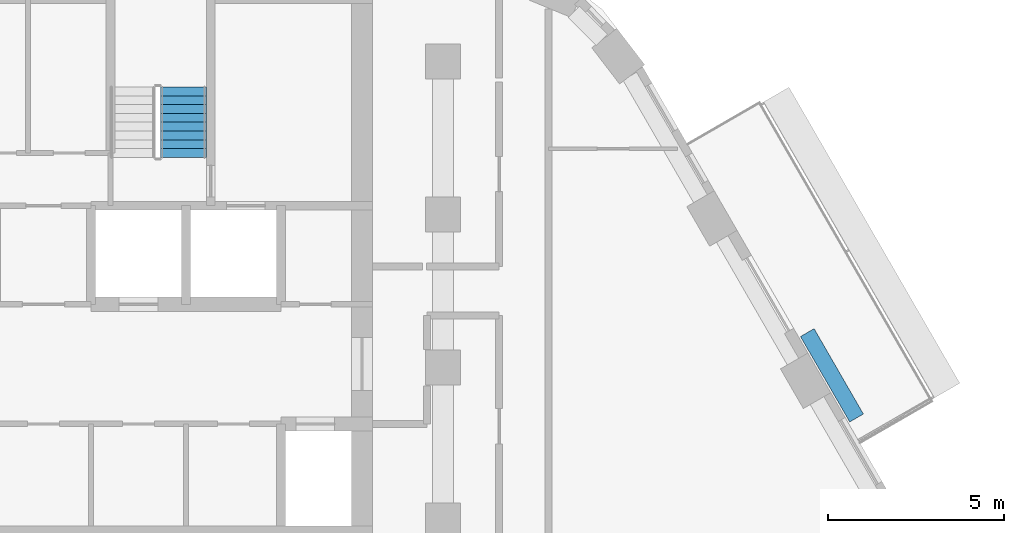
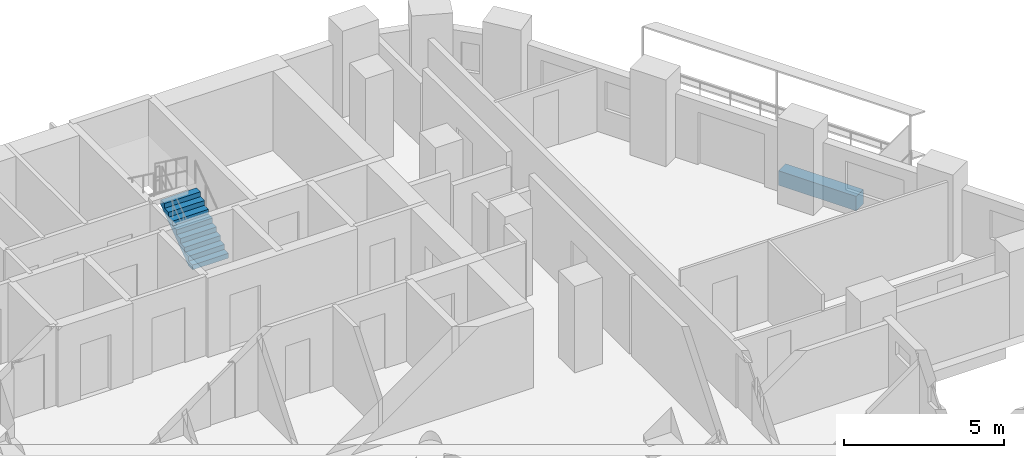
# One storey, part 10 of 14: 1 discrete accessory, 1 stair flight, 1 element without a shape of its own.
"""IFC4 building model written with IfcOpenShell, lengths in metres."""

from ifc_helpers import new_model, si_unit, direction, frame, origin, origin_2d, place, context, subcontext, project, spatial, polyline, rectangle, outline, extrude, material, type_object, element, aggregate, save


model = new_model("IFC4")

# Units and contexts
model_context = context("Model", 3, precision=1e-05, world=origin(), true_north=direction((0.0, 1.0)))
body_context = subcontext(model_context, "Body", "Model", "MODEL_VIEW")
ifc_project = project(units=[si_unit("LENGTHUNIT", "METRE"), si_unit("AREAUNIT", "SQUARE_METRE"), si_unit("VOLUMEUNIT", "CUBIC_METRE"), si_unit("PLANEANGLEUNIT", "RADIAN"), si_unit("MASSUNIT", "GRAM", prefix="KILO")], contexts=[model_context])

# Site, building, storey
site_placement = place(None, origin())
site = spatial("IfcSite", under=ifc_project, at=site_placement, CompositionType="ELEMENT")
building_placement = place(site_placement, origin())
building = spatial("IfcBuilding", under=site, at=building_placement, Name="Nakaniwa Court", CompositionType="ELEMENT")
storey_placement = place(building_placement, frame((0.0, 0.0, 163.5)))
storey = spatial("IfcBuildingStorey", under=building, at=storey_placement, Name="L43", CompositionType="ELEMENT", Elevation=163.5)

# Stair, stair flight
ifc_material_1 = material(Name="Concrete C80/100", Category="concrete")
stair_type = type_object("IfcStairType", Name="Dog leg stair 1300 wide 18 risers", PredefinedType="HALF_TURN_STAIR", material=ifc_material_1)
stair_placement = place(storey_placement, origin())
stair = element("IfcStair", 1, at=stair_placement, inside=storey, type_object=stair_type, Name="L43 Stair ST2", PredefinedType="HALF_TURN_STAIR")
stair_flight_type = type_object("IfcStairFlightType", Name="Stair flight 1300 wide 9 risers", PredefinedType="STRAIGHT", material=ifc_material_1)
stair_flight_placement = place(storey_placement, frame((82.625, 98.27490234375, 0.0), z_axis=(0.0, 0.0, 1.0), x_axis=(0.0, 1.0, 0.0)))
stair_flight = element("IfcStairFlight", 2, at=stair_flight_placement, type_object=stair_flight_type, Name="ST2 flight 1", NumberOfRisers=9, NumberOfTreads=8, PredefinedType="STRAIGHT", RiserHeight=0.183333333, TreadLength=0.25, context=body_context, shape_type="SweptSolid", body=[
    extrude(outline(polyline([(0.0, 0.0), (0.0, 0.026123046875), (0.0, 0.052490234375), (0.0, 0.07861328125), (0.0, 0.104736328125), (0.0, 0.130859375), (0.0, 0.1572265625), (0.0, 0.183349609375), (0.25, 0.183349609375), (0.25, 0.36669921875), (0.5, 0.36669921875), (0.5, 0.550048828125), (0.75, 0.550048828125), (0.75, 0.7333984375), (1.0, 0.7333984375), (1.0, 0.916748046875), (1.25, 0.916748046875), (1.25, 1.10009765625), (1.5, 1.10009765625), (1.5, 1.283447265625), (1.75, 1.283447265625), (1.75, 1.466552734375), (2.0, 1.466552734375), (2.0, 1.64990234375), (2.0, 1.59716796875), (2.0, 1.54443359375), (2.0, 1.49169921875), (2.0, 1.43896484375), (2.0, 1.38623046875), (2.0, 1.33349609375), (2.0, 1.28076171875), (0.25341796875, 0.0), (0.0, 0.0)])), frame((0.0, 0.64990234375, 0.0), z_axis=(0.0, -1.0, 0.0), x_axis=(1.0, 0.0, 0.0)), (0.0, 0.0, 1.0), 1.300048828125),
])
aggregate(stair, [stair_flight])

# Discrete accessory
ifc_material_2 = material(Name="Precast concrete C40/50 planter with planted soil", Category="concrete")
discrete_accessory_type = type_object("IfcDiscreteAccessoryType", Name="Planter box charcoal concrete", PredefinedType="USERDEFINED", material=ifc_material_2)
discrete_accessory_placement = place(storey_placement, frame((101.0556640625, 92.080810546875, -0.0498046875), z_axis=(0.0, 0.0, 1.0), x_axis=(-0.500004534492, 0.866022785779, 0.0)))
element("IfcDiscreteAccessory", 3, at=discrete_accessory_placement, inside=storey, type_object=discrete_accessory_type, Name="L43 balcony PLANTER 01", ObjectType="PLANTER", PredefinedType="USERDEFINED", context=body_context, shape_type="SweptSolid", body=[
    extrude(rectangle(XDim=2.802978515625, YDim=0.449951171875, at=origin_2d()), origin(), (0.0, 0.0, 1.0), 0.550048828125),
])

save(model, "model.ifc")
